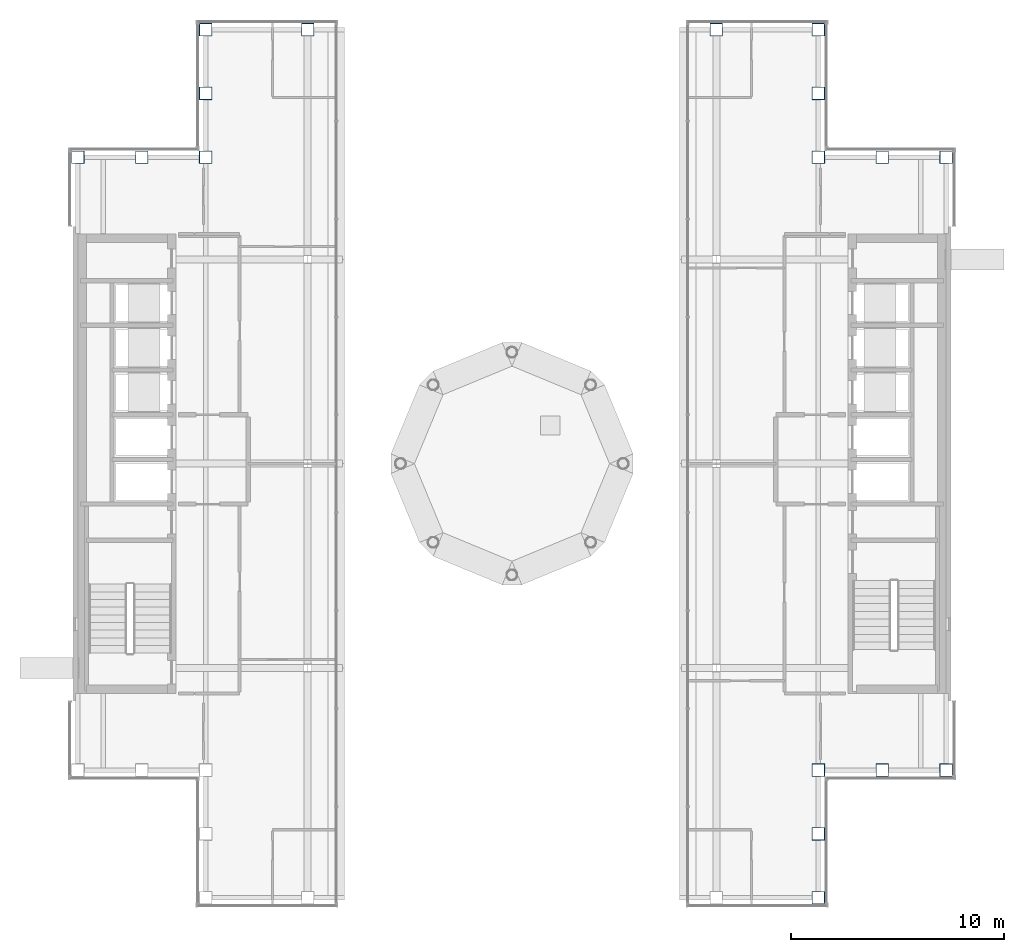
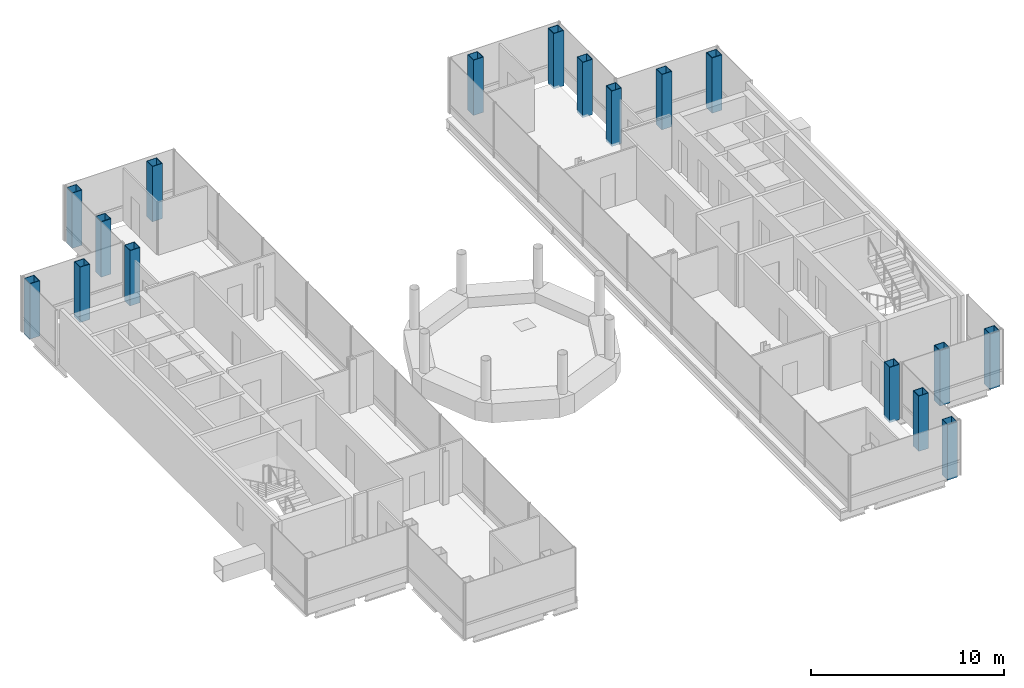
# One storey, part 2 of 16: 17 columns.
"""IFC4 building model written with IfcOpenShell, lengths in metres."""

from ifc_helpers import new_model, si_unit, direction, frame, origin, origin_2d, place, context, subcontext, project, spatial, hollow_rectangle, extrude, material, material_profile, profile_set, type_object, element, save


model = new_model("IFC4")

# Units and contexts
model_context = context("Model", 3, precision=1e-05, world=origin(), true_north=direction((0.0, 1.0)))
body_context = subcontext(model_context, "Body", "Model", "MODEL_VIEW")
ifc_project = project(units=[si_unit("LENGTHUNIT", "METRE"), si_unit("AREAUNIT", "SQUARE_METRE"), si_unit("VOLUMEUNIT", "CUBIC_METRE"), si_unit("PLANEANGLEUNIT", "RADIAN"), si_unit("MASSUNIT", "GRAM", prefix="KILO")], contexts=[model_context])

# Site, building, storey
site_placement = place(None, origin())
site = spatial("IfcSite", under=ifc_project, at=site_placement, CompositionType="ELEMENT")
building_placement = place(site_placement, origin())
building = spatial("IfcBuilding", under=site, at=building_placement, Name="Cobrizo Arcos Hotel Tower", CompositionType="ELEMENT")
storey_placement = place(building_placement, frame((0.0, 0.0, 272.5)))
storey = spatial("IfcBuildingStorey", under=building, at=storey_placement, Name="L72", CompositionType="ELEMENT", Elevation=272.5)

# Columns
ifc_material = material(Name="Steel ASTM A572 Grade 50", Category="steel")
ifc_material_profile = material_profile(ifc_material, hollow_rectangle(XDim=0.60009765625, YDim=0.60009765625, WallThickness=0.030029296875, at=origin_2d()), Name="BOX 600X600X30")
ifc_profile_set = profile_set([ifc_material_profile], Name="Steel ASTM A572 Grade 50")
column_type = type_object("IfcColumnType", Name="BOX 600X600X30 column", PredefinedType="COLUMN", material=ifc_profile_set)
for number, where, z_axis, x_axis, name in (
    (1, (-14.39990234375, 20.39990234375, -0.14990234375), (0.0, 0.0, 1.0), (1.0, 0.0, 0.0), "Perimeter column C12, L72, no. 00"),
    (2, (-9.60009765625, 20.39990234375, -0.14990234375), (0.0, 0.0, 1.0), (1.0, 0.0, 0.0), "Perimeter column C12, L72, no. 02"),
    (3, (9.60009765625, 20.39990234375, -0.14990234375), (0.0, 0.0, 1.0), (1.0, 0.0, 0.0), "Perimeter column C12, L72, no. 04"),
    (4, (14.39990234375, 20.39990234375, -0.14990234375), (0.0, 0.0, 1.0), (1.0, 0.0, 0.0), "Perimeter column C12, L72, no. 06"),
    (5, (14.39990234375, -20.39990234375, -0.14990234375), (0.0, 0.0, 1.0), (1.0, 0.0, 0.0), "Perimeter column C12, L72, no. 07"),
    (6, (20.39990234375, -14.39990234375, -0.14990234375), (0.0, 0.0, 1.0), (1.0, 0.0, 0.0), "Perimeter column C12, L72, no. 08"),
    (7, (20.39990234375, 14.39990234375, -0.14990234375), (0.0, 0.0, 1.0), (1.0, 0.0, 0.0), "Perimeter column C12, L72, no. 10"),
    (8, (-20.39990234375, 14.39990234375, -0.14990234375), (0.0, 0.0, 1.0), (1.0, 0.0, 0.0), "Perimeter column C12, L72, no. 11"),
    (9, (-14.39990234375, 14.39990234375, -0.14990234375), (0.0, 0.0, 1.0), (1.0, 0.0, 0.0), "Perimeter column C12, L72, no. 15"),
    (10, (-14.39990234375, 17.39990234375, -0.14990234375), (0.0, 0.0, 1.0), (1.0, 0.0, 0.0), "Perimeter column C12, L72, no. 16"),
    (11, (-17.39990234375, 14.39990234375, -0.14990234375), (0.0, 0.0, 1.0), (1.0, 0.0, 0.0), "Perimeter column C12, L72, no. 17"),
    (12, (14.39990234375, -14.39990234375, -0.14990234375), (0.0, 0.0, 1.0), (1.0, 0.0, 0.0), "Perimeter column C12, L72, no. 18"),
    (13, (14.39990234375, -17.39990234375, -0.14990234375), (0.0, 0.0, 1.0), (1.0, 0.0, 0.0), "Perimeter column C12, L72, no. 19"),
    (14, (17.39990234375, -14.39990234375, -0.14990234375), (0.0, 0.0, 1.0), (1.0, 0.0, 0.0), "Perimeter column C12, L72, no. 20"),
    (15, (14.39990234375, 14.39990234375, -0.14990234375), (0.0, 0.0, 1.0), (1.0, 0.0, 0.0), "Perimeter column C12, L72, no. 21"),
    (16, (14.39990234375, 17.39990234375, -0.14990234375), (0.0, 0.0, 1.0), (1.0, 0.0, 0.0), "Perimeter column C12, L72, no. 22"),
    (17, (17.39990234375, 14.39990234375, -0.14990234375), (0.0, 0.0, 1.0), (1.0, 0.0, 0.0), "Perimeter column C12, L72, no. 23"),
):
    element("IfcColumn", number, at=place(storey_placement, frame(where, z_axis=z_axis, x_axis=x_axis)), inside=storey, type_object=column_type, Name=name, PredefinedType="COLUMN", context=body_context, shape_type="SweptSolid", body=[
        extrude(hollow_rectangle(XDim=0.60009765625, YDim=0.60009765625, WallThickness=0.030029296875, at=origin_2d()), origin(), (0.0, 0.0, 1.0), 3.5),
    ])

save(model, "model.ifc")
